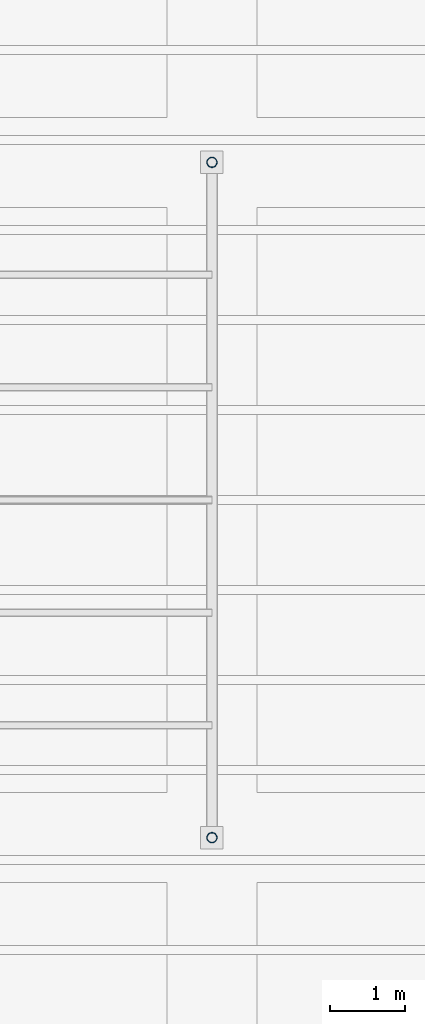
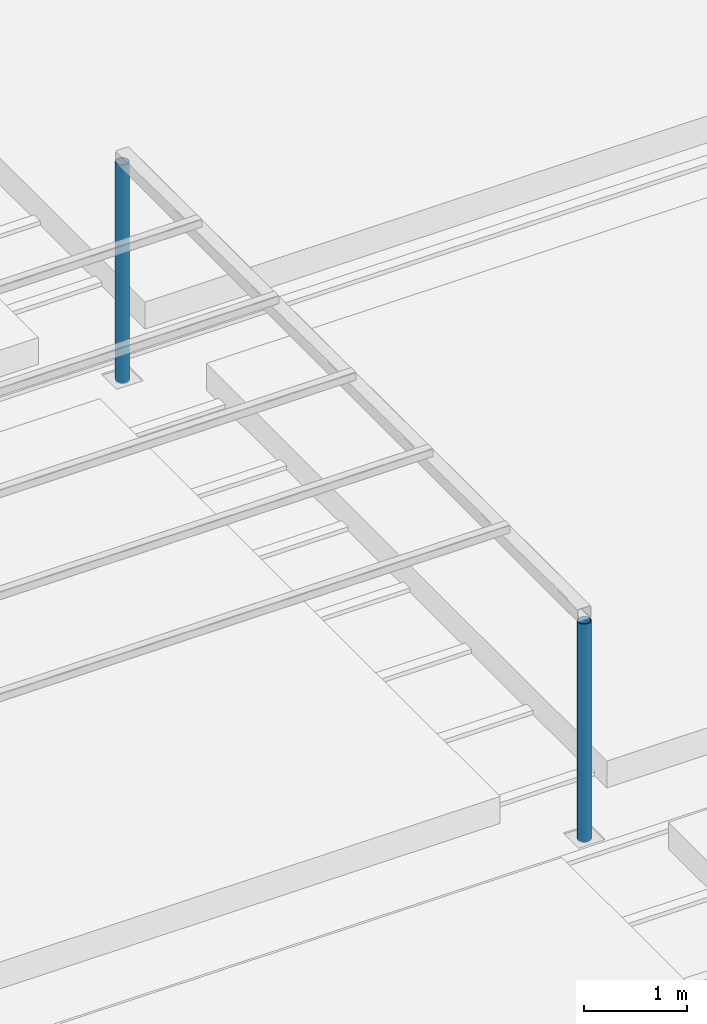
# One storey, part 17 of 153: 2 columns.
"""IFC4 building model written with IfcOpenShell, lengths in metres."""

from ifc_helpers import new_model, si_unit, direction, frame, origin, origin_2d, place, context, subcontext, project, spatial, hollow_circle, extrude, material, material_profile, profile_set, type_object, element, save


model = new_model("IFC4")

# Units and contexts
model_context = context("Model", 3, precision=1e-05, world=origin(), true_north=direction((0.0, 1.0)))
body_context = subcontext(model_context, "Body", "Model", "MODEL_VIEW")
ifc_project = project(units=[si_unit("LENGTHUNIT", "METRE"), si_unit("AREAUNIT", "SQUARE_METRE"), si_unit("VOLUMEUNIT", "CUBIC_METRE"), si_unit("PLANEANGLEUNIT", "RADIAN"), si_unit("MASSUNIT", "GRAM", prefix="KILO")], contexts=[model_context])

# Site, building, storey
site_placement = place(None, origin())
site = spatial("IfcSite", under=ifc_project, at=site_placement, CompositionType="ELEMENT")
building_placement = place(site_placement, origin())
building = spatial("IfcBuilding", under=site, at=building_placement, Name="Baradari Gate Terminus", CompositionType="ELEMENT")
storey_placement = place(building_placement, frame((0.0, 0.0, 11.699951171875)))
storey = spatial("IfcBuildingStorey", under=building, at=storey_placement, Name="L02", CompositionType="ELEMENT", Elevation=11.699951171875)

# Columns
ifc_material = material(Name="Steel S355", Category="steel")
ifc_material_profile = material_profile(ifc_material, hollow_circle(Radius=0.06982421875, WallThickness=0.008056640625, at=origin_2d()), Name="CHS 139.7x8")
ifc_profile_set = profile_set([ifc_material_profile], Name="Steel S355")
column_type = type_object("IfcColumnType", Name="Pergola post CHS 139.7x8", PredefinedType="COLUMN", material=ifc_profile_set)
for number, where, z_axis, x_axis, name in (
    (1, (234.0, 90.0, 0.0), (0.0, 0.0, 1.0), (1.0, 0.0, 0.0), "RF/L02/PGE3-PGC2"),
    (2, (234.0, 99.0, 0.0), (0.0, 0.0, 1.0), (1.0, 0.0, 0.0), "RF/L02/PGE3-PGC3"),
):
    element("IfcColumn", number, at=place(storey_placement, frame(where, z_axis=z_axis, x_axis=x_axis)), inside=storey, type_object=column_type, Name=name, PredefinedType="COLUMN", context=body_context, shape_type="SweptSolid", body=[
        extrude(hollow_circle(Radius=0.06982421875, WallThickness=0.008056640625, at=origin_2d()), origin(), (0.0, 0.0, 1.0), 2.60009765625),
    ])

save(model, "model.ifc")
